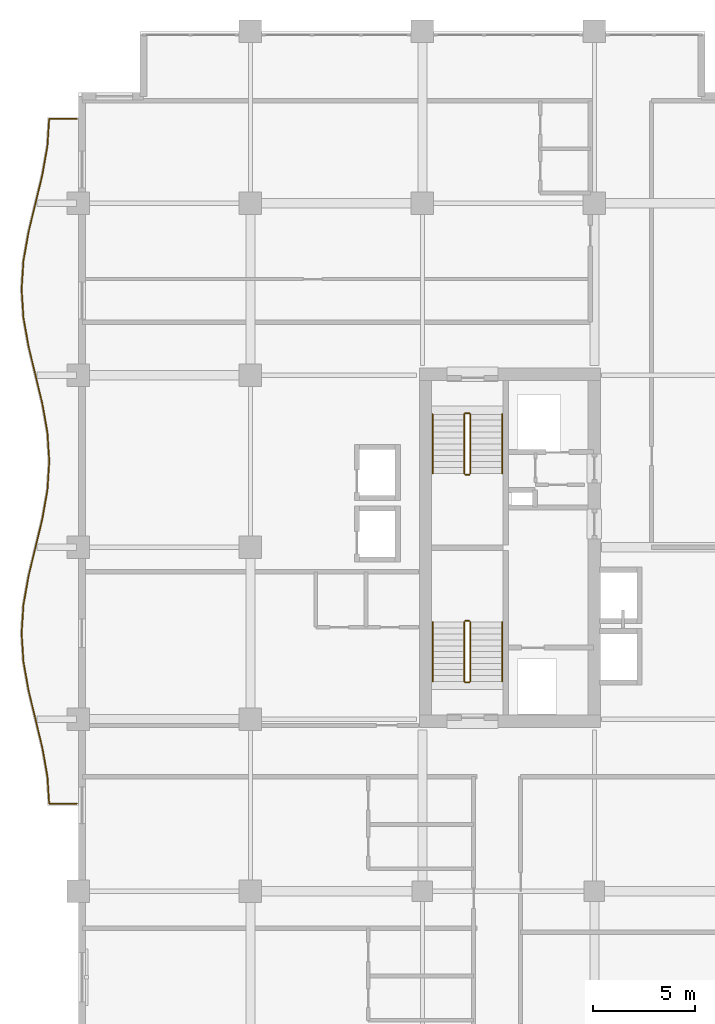
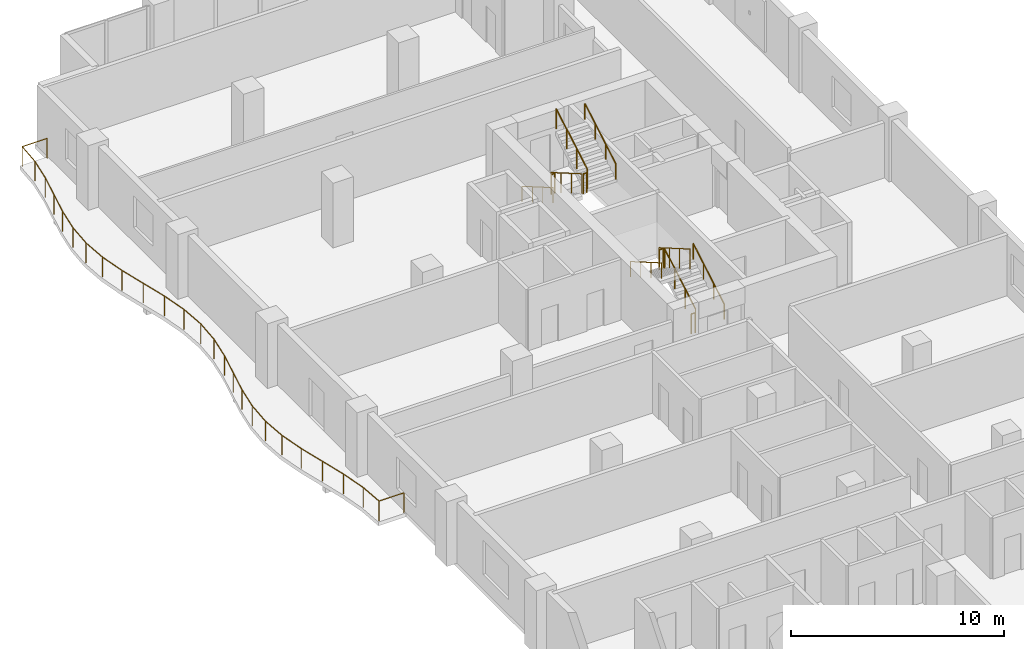
# One storey, part 18 of 19: 13 railings.
"""IFC4 building model written with IfcOpenShell, lengths in metres."""

from ifc_helpers import new_model, si_unit, direction, frame, origin, origin_2d, place, context, subcontext, project, spatial, circle, extrude, material, type_object, element, save


model = new_model("IFC4")

# Units and contexts
model_context = context("Model", 3, precision=1e-05, world=origin(), true_north=direction((0.0, 1.0)))
body_context = subcontext(model_context, "Body", "Model", "MODEL_VIEW")
ifc_project = project(units=[si_unit("LENGTHUNIT", "METRE"), si_unit("AREAUNIT", "SQUARE_METRE"), si_unit("VOLUMEUNIT", "CUBIC_METRE"), si_unit("PLANEANGLEUNIT", "RADIAN"), si_unit("MASSUNIT", "GRAM", prefix="KILO")], contexts=[model_context])

# Site, building, storey
site_placement = place(None, origin())
site = spatial("IfcSite", under=ifc_project, at=site_placement, CompositionType="ELEMENT")
building_placement = place(site_placement, origin())
building = spatial("IfcBuilding", under=site, at=building_placement, Name="Koriwani Terraces Tower", CompositionType="ELEMENT")
storey_placement = place(building_placement, frame((0.0, 0.0, 190.199951171875)))
storey = spatial("IfcBuildingStorey", under=building, at=storey_placement, Name="L46", CompositionType="ELEMENT", Elevation=190.199951171875)

# Railings
ifc_material = material(Name="Steel ASTM A572 Grade 50", Category="steel")
railing_type_1 = type_object("IfcRailingType", Name="GUARD_BALUSTRADE_1150", PredefinedType="BALUSTRADE", material=ifc_material)
railing_1_placement = place(storey_placement, frame((-0.080078125, 37.8798828125, 0.0)))
element("IfcRailing", 1, at=railing_1_placement, inside=storey, type_object=railing_type_1, Name="L46 Balcony Perimeter Safety Balustrade (W)", PredefinedType="BALUSTRADE", context=body_context, shape_type="SweptSolid", body=[
    extrude(circle(Radius=0.02392578125, at=origin_2d()), frame((0.0, 0.0, 1.1259765625), z_axis=(-1.0, 0.0, 0.0), x_axis=(0.0, -1.0, 0.0)), (0.0, 0.0, 1.0), 1.344970703125),
    extrude(circle(Radius=0.02392578125, at=origin_2d()), frame((-1.344970703125, 0.0, 1.1259765625), z_axis=(-0.064500006011, 0.997917706639, 0.0), x_axis=(-0.997917706639, -0.064500006011, 0.0)), (0.0, 0.0, 1.0), 1.332275390625),
    extrude(circle(Radius=0.02392578125, at=origin_2d()), frame((-1.430908203125, 1.32958984375, 1.1259765625), z_axis=(-0.173814583381, 0.984778396698, 0.0), x_axis=(-0.984778396698, -0.173814583381, 0.0)), (0.0, 0.0, 1.0), 1.428466796875),
    extrude(circle(Radius=0.02392578125, at=origin_2d()), frame((-1.67919921875, 2.736328125, 1.1259765625), z_axis=(-0.234289744186, 0.972166814785, 0.0), x_axis=(-0.972166814785, -0.234289744186, 0.0)), (0.0, 0.0, 1.0), 2.880126953125),
    extrude(circle(Radius=0.02392578125, at=origin_2d()), frame((-2.35400390625, 5.536376953125, 1.1259765625), z_axis=(-0.173932985997, 0.984757491153, 0.0), x_axis=(-0.984757491153, -0.173932985997, 0.0)), (0.0, 0.0, 1.0), 1.414794921875),
    extrude(circle(Radius=0.02392578125, at=origin_2d()), frame((-2.60009765625, 6.9296875, 1.1259765625), z_axis=(-0.064309099225, 0.997930027485, 0.0), x_axis=(-0.997930027485, -0.064309099225, 0.0)), (0.0, 0.0, 1.0), 1.393310546875),
    extrude(circle(Radius=0.02392578125, at=origin_2d()), frame((-2.689697265625, 8.320068359375, 1.1259765625), z_axis=(0.064309099225, 0.997930027485, 0.0), x_axis=(-0.997930027485, 0.064309099225, 0.0)), (0.0, 0.0, 1.0), 1.393310546875),
    extrude(circle(Radius=0.02392578125, at=origin_2d()), frame((-2.60009765625, 9.71044921875, 1.1259765625), z_axis=(0.173932985997, 0.984757491153, 0.0), x_axis=(-0.984757491153, 0.173932985997, 0.0)), (0.0, 0.0, 1.0), 1.414794921875),
    extrude(circle(Radius=0.02392578125, at=origin_2d()), frame((-2.35400390625, 11.103759765625, 1.1259765625), z_axis=(0.234289744186, 0.972166814785, 0.0), x_axis=(-0.972166814785, 0.234289744186, 0.0)), (0.0, 0.0, 1.0), 2.880126953125),
    extrude(circle(Radius=0.02392578125, at=origin_2d()), frame((-1.67919921875, 13.90380859375, 1.1259765625), z_axis=(0.173814583381, 0.984778396698, 0.0), x_axis=(-0.984778396698, 0.173814583381, 0.0)), (0.0, 0.0, 1.0), 1.428466796875),
    extrude(circle(Radius=0.02392578125, at=origin_2d()), frame((-1.430908203125, 15.310546875, 1.1259765625), z_axis=(0.064293443969, 0.997931036226, 0.0), x_axis=(-0.997931036226, 0.064293443969, 0.0)), (0.0, 0.0, 1.0), 1.41259765625),
    extrude(circle(Radius=0.02392578125, at=origin_2d()), frame((-1.340087890625, 16.72021484375, 1.1259765625), z_axis=(-0.064304534842, 0.997930321615, 0.0), x_axis=(-0.997930321615, -0.064304534842, 0.0)), (0.0, 0.0, 1.0), 1.412353515625),
    extrude(circle(Radius=0.02392578125, at=origin_2d()), frame((-1.430908203125, 18.129638671875, 1.1259765625), z_axis=(-0.173814583381, 0.984778396698, 0.0), x_axis=(-0.984778396698, -0.173814583381, 0.0)), (0.0, 0.0, 1.0), 1.428466796875),
    extrude(circle(Radius=0.02392578125, at=origin_2d()), frame((-1.67919921875, 19.536376953125, 1.1259765625), z_axis=(-0.234289744186, 0.972166814785, 0.0), x_axis=(-0.972166814785, -0.234289744186, 0.0)), (0.0, 0.0, 1.0), 2.880126953125),
    extrude(circle(Radius=0.02392578125, at=origin_2d()), frame((-2.35400390625, 22.33642578125, 1.1259765625), z_axis=(-0.173932985997, 0.984757491153, 0.0), x_axis=(-0.984757491153, -0.173932985997, 0.0)), (0.0, 0.0, 1.0), 1.414794921875),
    extrude(circle(Radius=0.02392578125, at=origin_2d()), frame((-2.60009765625, 23.729736328125, 1.1259765625), z_axis=(-0.064309099225, 0.997930027485, 0.0), x_axis=(-0.997930027485, -0.064309099225, 0.0)), (0.0, 0.0, 1.0), 1.393310546875),
    extrude(circle(Radius=0.02392578125, at=origin_2d()), frame((-2.689697265625, 25.1201171875, 1.1259765625), z_axis=(0.064309099225, 0.997930027485, 0.0), x_axis=(-0.997930027485, 0.064309099225, 0.0)), (0.0, 0.0, 1.0), 1.393310546875),
    extrude(circle(Radius=0.02392578125, at=origin_2d()), frame((-2.60009765625, 26.510498046875, 1.1259765625), z_axis=(0.173932985997, 0.984757491153, 0.0), x_axis=(-0.984757491153, 0.173932985997, 0.0)), (0.0, 0.0, 1.0), 1.414794921875),
    extrude(circle(Radius=0.02392578125, at=origin_2d()), frame((-2.35400390625, 27.90380859375, 1.1259765625), z_axis=(0.234289744186, 0.972166814785, 0.0), x_axis=(-0.972166814785, 0.234289744186, 0.0)), (0.0, 0.0, 1.0), 2.880126953125),
    extrude(circle(Radius=0.02392578125, at=origin_2d()), frame((-1.67919921875, 30.703857421875, 1.1259765625), z_axis=(0.173814583381, 0.984778396698, 0.0), x_axis=(-0.984778396698, 0.173814583381, 0.0)), (0.0, 0.0, 1.0), 1.428466796875),
    extrude(circle(Radius=0.02392578125, at=origin_2d()), frame((-1.430908203125, 32.110595703125, 1.1259765625), z_axis=(0.064500006011, 0.997917706639, 0.0), x_axis=(-0.997917706639, 0.064500006011, 0.0)), (0.0, 0.0, 1.0), 1.332275390625),
    extrude(circle(Radius=0.02392578125, at=origin_2d()), frame((-1.344970703125, 33.440185546875, 1.1259765625), z_axis=(1.0, 0.0, 0.0), x_axis=(0.0, 1.0, 0.0)), (0.0, 0.0, 1.0), 1.344970703125),
    extrude(circle(Radius=0.02099609375, at=origin_2d()), origin(), (0.0, 0.0, 1.0), 1.101806640625),
    extrude(circle(Radius=0.02099609375, at=origin_2d()), frame((-1.344970703125, 0.0, 0.0)), (0.0, 0.0, 1.0), 1.101806640625),
    extrude(circle(Radius=0.02099609375, at=origin_2d()), frame((-1.430908203125, 1.32958984375, 0.0)), (0.0, 0.0, 1.0), 1.101806640625),
    extrude(circle(Radius=0.02099609375, at=origin_2d()), frame((-1.67919921875, 2.736328125, 0.0)), (0.0, 0.0, 1.0), 1.101806640625),
    extrude(circle(Radius=0.02099609375, at=origin_2d()), frame((-2.0166015625, 4.13623046875, 0.0)), (0.0, 0.0, 1.0), 1.101806640625),
    extrude(circle(Radius=0.02099609375, at=origin_2d()), frame((-2.35400390625, 5.536376953125, 0.0)), (0.0, 0.0, 1.0), 1.101806640625),
    extrude(circle(Radius=0.02099609375, at=origin_2d()), frame((-2.60009765625, 6.9296875, 0.0)), (0.0, 0.0, 1.0), 1.101806640625),
    extrude(circle(Radius=0.02099609375, at=origin_2d()), frame((-2.689697265625, 8.320068359375, 0.0)), (0.0, 0.0, 1.0), 1.101806640625),
    extrude(circle(Radius=0.02099609375, at=origin_2d()), frame((-2.60009765625, 9.71044921875, 0.0)), (0.0, 0.0, 1.0), 1.101806640625),
    extrude(circle(Radius=0.02099609375, at=origin_2d()), frame((-2.35400390625, 11.103759765625, 0.0)), (0.0, 0.0, 1.0), 1.101806640625),
    extrude(circle(Radius=0.02099609375, at=origin_2d()), frame((-2.0166015625, 12.50390625, 0.0)), (0.0, 0.0, 1.0), 1.101806640625),
    extrude(circle(Radius=0.02099609375, at=origin_2d()), frame((-1.67919921875, 13.90380859375, 0.0)), (0.0, 0.0, 1.0), 1.101806640625),
    extrude(circle(Radius=0.02099609375, at=origin_2d()), frame((-1.430908203125, 15.310546875, 0.0)), (0.0, 0.0, 1.0), 1.101806640625),
    extrude(circle(Radius=0.02099609375, at=origin_2d()), frame((-1.340087890625, 16.72021484375, 0.0)), (0.0, 0.0, 1.0), 1.101806640625),
    extrude(circle(Radius=0.02099609375, at=origin_2d()), frame((-1.430908203125, 18.129638671875, 0.0)), (0.0, 0.0, 1.0), 1.101806640625),
    extrude(circle(Radius=0.02099609375, at=origin_2d()), frame((-1.67919921875, 19.536376953125, 0.0)), (0.0, 0.0, 1.0), 1.101806640625),
    extrude(circle(Radius=0.02099609375, at=origin_2d()), frame((-2.0166015625, 20.9365234375, 0.0)), (0.0, 0.0, 1.0), 1.101806640625),
    extrude(circle(Radius=0.02099609375, at=origin_2d()), frame((-2.35400390625, 22.33642578125, 0.0)), (0.0, 0.0, 1.0), 1.101806640625),
    extrude(circle(Radius=0.02099609375, at=origin_2d()), frame((-2.60009765625, 23.729736328125, 0.0)), (0.0, 0.0, 1.0), 1.101806640625),
    extrude(circle(Radius=0.02099609375, at=origin_2d()), frame((-2.689697265625, 25.1201171875, 0.0)), (0.0, 0.0, 1.0), 1.101806640625),
    extrude(circle(Radius=0.02099609375, at=origin_2d()), frame((-2.60009765625, 26.510498046875, 0.0)), (0.0, 0.0, 1.0), 1.101806640625),
    extrude(circle(Radius=0.02099609375, at=origin_2d()), frame((-2.35400390625, 27.90380859375, 0.0)), (0.0, 0.0, 1.0), 1.101806640625),
    extrude(circle(Radius=0.02099609375, at=origin_2d()), frame((-2.0166015625, 29.3037109375, 0.0)), (0.0, 0.0, 1.0), 1.101806640625),
    extrude(circle(Radius=0.02099609375, at=origin_2d()), frame((-1.67919921875, 30.703857421875, 0.0)), (0.0, 0.0, 1.0), 1.101806640625),
    extrude(circle(Radius=0.02099609375, at=origin_2d()), frame((-1.430908203125, 32.110595703125, 0.0)), (0.0, 0.0, 1.0), 1.101806640625),
    extrude(circle(Radius=0.02099609375, at=origin_2d()), frame((-1.344970703125, 33.440185546875, 0.0)), (0.0, 0.0, 1.0), 1.101806640625),
    extrude(circle(Radius=0.02099609375, at=origin_2d()), frame((0.0, 33.440185546875, 0.0)), (0.0, 0.0, 1.0), 1.101806640625),
])
railing_type_2 = type_object("IfcRailingType", Name="GUARD_STAIR_WELL_1120", PredefinedType="GUARDRAIL", material=ifc_material)
railing_2_placement = place(storey_placement, frame((19.14990234375, 43.85009765625, 0.168212890625)))
element("IfcRailing", 2, at=railing_2_placement, inside=storey, type_object=railing_type_2, Name="L46 ST-W1 stair guard 1", PredefinedType="GUARDRAIL", context=body_context, shape_type="SweptSolid", body=[
    extrude(circle(Radius=0.02392578125, at=origin_2d()), frame((0.0, 0.0, 1.1259765625), z_axis=(0.0, 0.865038774852, 0.501705010941), x_axis=(-1.0, 0.0, 0.0)), (0.0, 0.0, 1.0), 3.352294921875),
    extrude(circle(Radius=0.02099609375, at=origin_2d()), origin(), (0.0, 0.0, 1.0), 1.101806640625),
    extrude(circle(Radius=0.02099609375, at=origin_2d()), frame((0.0, 0.966552734375, 0.560546875)), (0.0, 0.0, 1.0), 1.101806640625),
    extrude(circle(Radius=0.02099609375, at=origin_2d()), frame((0.0, 1.933349609375, 1.121337890625)), (0.0, 0.0, 1.0), 1.101806640625),
    extrude(circle(Radius=0.02099609375, at=origin_2d()), frame((0.0, 2.89990234375, 1.681884765625)), (0.0, 0.0, 1.0), 1.101806640625),
])
railing_3_placement = place(storey_placement, frame((19.10009765625, 46.800048828125, 1.85009765625)))
element("IfcRailing", 3, at=railing_3_placement, inside=storey, type_object=railing_type_2, Name="L46 ST-W1 stair guard 2", PredefinedType="GUARDRAIL", context=body_context, shape_type="SweptSolid", body=[
    extrude(circle(Radius=0.02392578125, at=origin_2d()), frame((0.0, 0.0, 1.1259765625), z_axis=(-1.0, 0.0, 0.0), x_axis=(0.0, -1.0, 0.0)), (0.0, 0.0, 1.0), 0.2001953125),
    extrude(circle(Radius=0.02099609375, at=origin_2d()), origin(), (0.0, 0.0, 1.0), 1.101806640625),
    extrude(circle(Radius=0.02099609375, at=origin_2d()), frame((-0.2001953125, 0.0, 0.0)), (0.0, 0.0, 1.0), 1.101806640625),
])
railing_4_placement = place(storey_placement, frame((18.85009765625, 46.75, 2.018310546875)))
element("IfcRailing", 4, at=railing_4_placement, inside=storey, type_object=railing_type_2, Name="L46 ST-W1 stair guard 3", PredefinedType="GUARDRAIL", context=body_context, shape_type="SweptSolid", body=[
    extrude(circle(Radius=0.02392578125, at=origin_2d()), frame((0.0, 0.0, 1.1259765625), z_axis=(0.0, -0.86507038078, 0.501650512107), x_axis=(1.0, 0.0, 0.0)), (0.0, 0.0, 1.0), 3.352294921875),
    extrude(circle(Radius=0.02099609375, at=origin_2d()), origin(), (0.0, 0.0, 1.0), 1.101806640625),
    extrude(circle(Radius=0.02099609375, at=origin_2d()), frame((0.0, -0.966552734375, 0.560546875)), (0.0, 0.0, 1.0), 1.101806640625),
    extrude(circle(Radius=0.02099609375, at=origin_2d()), frame((0.0, -1.933349609375, 1.12109375)), (0.0, 0.0, 1.0), 1.101806640625),
    extrude(circle(Radius=0.02099609375, at=origin_2d()), frame((0.0, -2.89990234375, 1.681640625)), (0.0, 0.0, 1.0), 1.101806640625),
])
railing_5_placement = place(storey_placement, frame((19.10009765625, 43.800048828125, 0.0)))
element("IfcRailing", 5, at=railing_5_placement, inside=storey, type_object=railing_type_2, Name="L46 ST-W1 stair guard 4", PredefinedType="GUARDRAIL", context=body_context, shape_type="SweptSolid", body=[
    extrude(circle(Radius=0.02392578125, at=origin_2d()), frame((0.0, 0.0, 1.1259765625), z_axis=(-1.0, 0.0, 0.0), x_axis=(0.0, -1.0, 0.0)), (0.0, 0.0, 1.0), 0.2001953125),
    extrude(circle(Radius=0.02099609375, at=origin_2d()), origin(), (0.0, 0.0, 1.0), 1.101806640625),
    extrude(circle(Radius=0.02099609375, at=origin_2d()), frame((-0.2001953125, 0.0, 0.0)), (0.0, 0.0, 1.0), 1.101806640625),
])
railing_6_placement = place(storey_placement, frame((18.85009765625, 56.89990234375, 0.168212890625)))
element("IfcRailing", 6, at=railing_6_placement, inside=storey, type_object=railing_type_2, Name="L46 ST-W2 stair guard 1", PredefinedType="GUARDRAIL", context=body_context, shape_type="SweptSolid", body=[
    extrude(circle(Radius=0.02392578125, at=origin_2d()), frame((0.0, 0.0, 1.1259765625), z_axis=(0.0, -0.865038774852, 0.501705010941), x_axis=(1.0, 0.0, 0.0)), (0.0, 0.0, 1.0), 3.352294921875),
    extrude(circle(Radius=0.02099609375, at=origin_2d()), origin(), (0.0, 0.0, 1.0), 1.101806640625),
    extrude(circle(Radius=0.02099609375, at=origin_2d()), frame((0.0, -0.966552734375, 0.560546875)), (0.0, 0.0, 1.0), 1.101806640625),
    extrude(circle(Radius=0.02099609375, at=origin_2d()), frame((0.0, -1.933349609375, 1.121337890625)), (0.0, 0.0, 1.0), 1.101806640625),
    extrude(circle(Radius=0.02099609375, at=origin_2d()), frame((0.0, -2.89990234375, 1.681884765625)), (0.0, 0.0, 1.0), 1.101806640625),
])
railing_7_placement = place(storey_placement, frame((18.89990234375, 53.949951171875, 1.85009765625)))
element("IfcRailing", 7, at=railing_7_placement, inside=storey, type_object=railing_type_2, Name="L46 ST-W2 stair guard 2", PredefinedType="GUARDRAIL", context=body_context, shape_type="SweptSolid", body=[
    extrude(circle(Radius=0.02392578125, at=origin_2d()), frame((0.0, 0.0, 1.1259765625), z_axis=(1.0, 0.0, 0.0), x_axis=(0.0, 1.0, 0.0)), (0.0, 0.0, 1.0), 0.2001953125),
    extrude(circle(Radius=0.02099609375, at=origin_2d()), origin(), (0.0, 0.0, 1.0), 1.101806640625),
    extrude(circle(Radius=0.02099609375, at=origin_2d()), frame((0.2001953125, 0.0, 0.0)), (0.0, 0.0, 1.0), 1.101806640625),
])
railing_8_placement = place(storey_placement, frame((19.14990234375, 54.0, 2.018310546875)))
element("IfcRailing", 8, at=railing_8_placement, inside=storey, type_object=railing_type_2, Name="L46 ST-W2 stair guard 3", PredefinedType="GUARDRAIL", context=body_context, shape_type="SweptSolid", body=[
    extrude(circle(Radius=0.02392578125, at=origin_2d()), frame((0.0, 0.0, 1.1259765625), z_axis=(0.0, 0.86507038078, 0.501650512107), x_axis=(-1.0, 0.0, 0.0)), (0.0, 0.0, 1.0), 3.352294921875),
    extrude(circle(Radius=0.02099609375, at=origin_2d()), origin(), (0.0, 0.0, 1.0), 1.101806640625),
    extrude(circle(Radius=0.02099609375, at=origin_2d()), frame((0.0, 0.966552734375, 0.560546875)), (0.0, 0.0, 1.0), 1.101806640625),
    extrude(circle(Radius=0.02099609375, at=origin_2d()), frame((0.0, 1.933349609375, 1.12109375)), (0.0, 0.0, 1.0), 1.101806640625),
    extrude(circle(Radius=0.02099609375, at=origin_2d()), frame((0.0, 2.89990234375, 1.681640625)), (0.0, 0.0, 1.0), 1.101806640625),
])
railing_9_placement = place(storey_placement, frame((18.89990234375, 56.949951171875, 0.0)))
element("IfcRailing", 9, at=railing_9_placement, inside=storey, type_object=railing_type_2, Name="L46 ST-W2 stair guard 4", PredefinedType="GUARDRAIL", context=body_context, shape_type="SweptSolid", body=[
    extrude(circle(Radius=0.02392578125, at=origin_2d()), frame((0.0, 0.0, 1.1259765625), z_axis=(1.0, 0.0, 0.0), x_axis=(0.0, 1.0, 0.0)), (0.0, 0.0, 1.0), 0.2001953125),
    extrude(circle(Radius=0.02099609375, at=origin_2d()), origin(), (0.0, 0.0, 1.0), 1.101806640625),
    extrude(circle(Radius=0.02099609375, at=origin_2d()), frame((0.2001953125, 0.0, 0.0)), (0.0, 0.0, 1.0), 1.101806640625),
])
railing_type_3 = type_object("IfcRailingType", Name="HANDRAIL_STAIR_920", PredefinedType="HANDRAIL", material=ifc_material)
railing_10_placement = place(storey_placement, frame((20.699951171875, 43.85009765625, 0.168212890625)))
element("IfcRailing", 10, at=railing_10_placement, inside=storey, type_object=railing_type_3, Name="L46 ST-W1 stair handrail 1", PredefinedType="HANDRAIL", context=body_context, shape_type="SweptSolid", body=[
    extrude(circle(Radius=0.02392578125, at=origin_2d()), frame((0.0, 0.0, 0.8759765625), z_axis=(0.0, 0.865038774852, 0.501705010941), x_axis=(-1.0, 0.0, 0.0)), (0.0, 0.0, 1.0), 3.352294921875),
    extrude(circle(Radius=0.02099609375, at=origin_2d()), origin(), (0.0, 0.0, 1.0), 0.851806640625),
    extrude(circle(Radius=0.02099609375, at=origin_2d()), frame((0.0, 0.966552734375, 0.560546875)), (0.0, 0.0, 1.0), 0.851806640625),
    extrude(circle(Radius=0.02099609375, at=origin_2d()), frame((0.0, 1.933349609375, 1.121337890625)), (0.0, 0.0, 1.0), 0.851806640625),
    extrude(circle(Radius=0.02099609375, at=origin_2d()), frame((0.0, 2.89990234375, 1.681884765625)), (0.0, 0.0, 1.0), 0.851806640625),
])
railing_11_placement = place(storey_placement, frame((17.300048828125, 46.75, 2.018310546875)))
element("IfcRailing", 11, at=railing_11_placement, inside=storey, type_object=railing_type_3, Name="L46 ST-W1 stair handrail 2", PredefinedType="HANDRAIL", context=body_context, shape_type="SweptSolid", body=[
    extrude(circle(Radius=0.02392578125, at=origin_2d()), frame((0.0, 0.0, 0.8759765625), z_axis=(0.0, -0.86507038078, 0.501650512107), x_axis=(1.0, 0.0, 0.0)), (0.0, 0.0, 1.0), 3.352294921875),
    extrude(circle(Radius=0.02099609375, at=origin_2d()), origin(), (0.0, 0.0, 1.0), 0.851806640625),
    extrude(circle(Radius=0.02099609375, at=origin_2d()), frame((0.0, -0.966552734375, 0.560546875)), (0.0, 0.0, 1.0), 0.851806640625),
    extrude(circle(Radius=0.02099609375, at=origin_2d()), frame((0.0, -1.933349609375, 1.12109375)), (0.0, 0.0, 1.0), 0.851806640625),
    extrude(circle(Radius=0.02099609375, at=origin_2d()), frame((0.0, -2.89990234375, 1.681640625)), (0.0, 0.0, 1.0), 0.851806640625),
])
railing_12_placement = place(storey_placement, frame((17.300048828125, 56.89990234375, 0.168212890625)))
element("IfcRailing", 12, at=railing_12_placement, inside=storey, type_object=railing_type_3, Name="L46 ST-W2 stair handrail 1", PredefinedType="HANDRAIL", context=body_context, shape_type="SweptSolid", body=[
    extrude(circle(Radius=0.02392578125, at=origin_2d()), frame((0.0, 0.0, 0.8759765625), z_axis=(0.0, -0.865038774852, 0.501705010941), x_axis=(1.0, 0.0, 0.0)), (0.0, 0.0, 1.0), 3.352294921875),
    extrude(circle(Radius=0.02099609375, at=origin_2d()), origin(), (0.0, 0.0, 1.0), 0.851806640625),
    extrude(circle(Radius=0.02099609375, at=origin_2d()), frame((0.0, -0.966552734375, 0.560546875)), (0.0, 0.0, 1.0), 0.851806640625),
    extrude(circle(Radius=0.02099609375, at=origin_2d()), frame((0.0, -1.933349609375, 1.121337890625)), (0.0, 0.0, 1.0), 0.851806640625),
    extrude(circle(Radius=0.02099609375, at=origin_2d()), frame((0.0, -2.89990234375, 1.681884765625)), (0.0, 0.0, 1.0), 0.851806640625),
])
railing_13_placement = place(storey_placement, frame((20.699951171875, 54.0, 2.018310546875)))
element("IfcRailing", 13, at=railing_13_placement, inside=storey, type_object=railing_type_3, Name="L46 ST-W2 stair handrail 2", PredefinedType="HANDRAIL", context=body_context, shape_type="SweptSolid", body=[
    extrude(circle(Radius=0.02392578125, at=origin_2d()), frame((0.0, 0.0, 0.8759765625), z_axis=(0.0, 0.86507038078, 0.501650512107), x_axis=(-1.0, 0.0, 0.0)), (0.0, 0.0, 1.0), 3.352294921875),
    extrude(circle(Radius=0.02099609375, at=origin_2d()), origin(), (0.0, 0.0, 1.0), 0.851806640625),
    extrude(circle(Radius=0.02099609375, at=origin_2d()), frame((0.0, 0.966552734375, 0.560546875)), (0.0, 0.0, 1.0), 0.851806640625),
    extrude(circle(Radius=0.02099609375, at=origin_2d()), frame((0.0, 1.933349609375, 1.12109375)), (0.0, 0.0, 1.0), 0.851806640625),
    extrude(circle(Radius=0.02099609375, at=origin_2d()), frame((0.0, 2.89990234375, 1.681640625)), (0.0, 0.0, 1.0), 0.851806640625),
])

save(model, "model.ifc")
